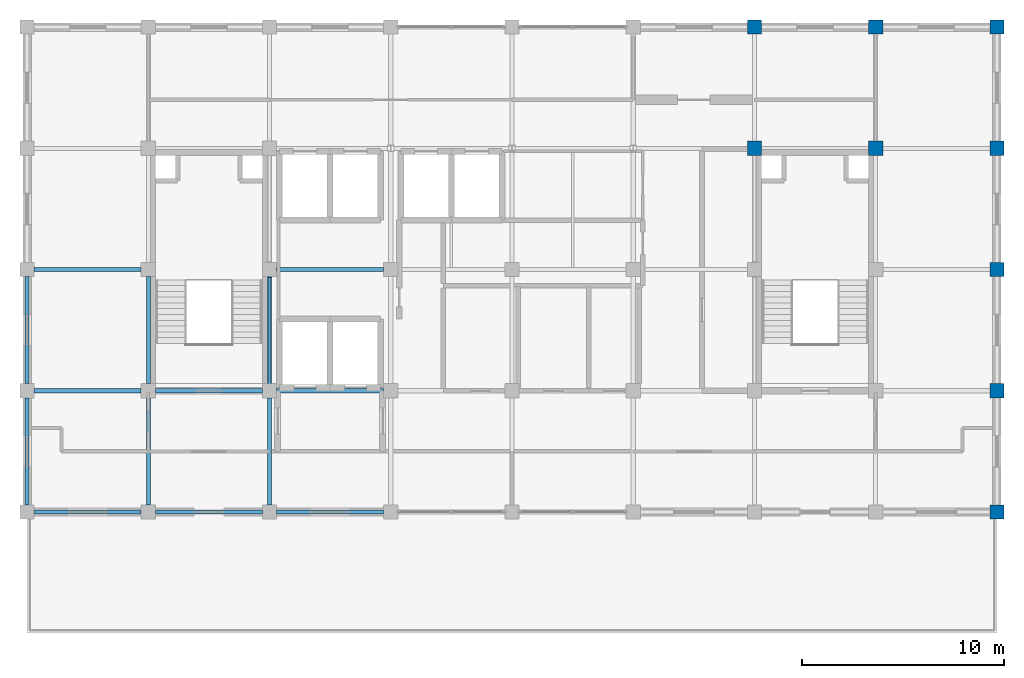
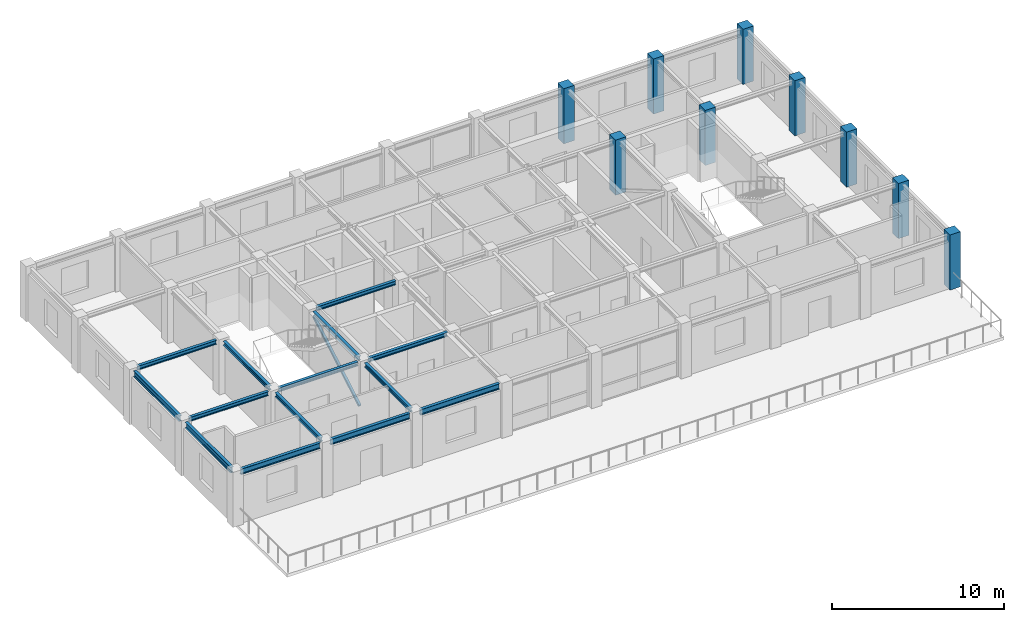
# One storey, part 3 of 11: 14 beams, 9 columns, 1 member.
"""IFC4 building model written with IfcOpenShell, lengths in metres."""

from ifc_helpers import new_model, si_unit, direction, frame, origin, origin_2d, place, context, subcontext, project, spatial, rectangle, hollow_rectangle, i_section, extrude, material, material_profile, profile_set, type_object, element, save


model = new_model("IFC4")

# Units and contexts
model_context = context("Model", 3, precision=1e-05, world=origin(), true_north=direction((0.0, 1.0)))
body_context = subcontext(model_context, "Body", "Model", "MODEL_VIEW")
ifc_project = project(units=[si_unit("LENGTHUNIT", "METRE"), si_unit("AREAUNIT", "SQUARE_METRE"), si_unit("VOLUMEUNIT", "CUBIC_METRE"), si_unit("PLANEANGLEUNIT", "RADIAN"), si_unit("MASSUNIT", "GRAM", prefix="KILO")], contexts=[model_context])

# Site, building, storey
site_placement = place(None, origin())
site = spatial("IfcSite", under=ifc_project, at=site_placement, CompositionType="ELEMENT")
building_placement = place(site_placement, origin())
building = spatial("IfcBuilding", under=site, at=building_placement, Name="Zlatovratsky Civic Hall", CompositionType="ELEMENT")
storey_placement = place(building_placement, frame((0.0, 0.0, 52.199951171875)))
storey = spatial("IfcBuildingStorey", under=building, at=storey_placement, Name="L13", CompositionType="ELEMENT", Elevation=52.199951171875)

# Columns
ifc_material_1 = material(Name="Concrete C35/45 (B40)", Category="concrete")
ifc_material_profile_1 = material_profile(ifc_material_1, rectangle(XDim=0.699951171875, YDim=0.699951171875, at=origin_2d()), Name="RC 700x700")
ifc_profile_set_1 = profile_set([ifc_material_profile_1], Name="Concrete C35/45 (B40)")
column_type = type_object("IfcColumnType", Name="Col_CorePier_RC700", PredefinedType="COLUMN", material=ifc_profile_set_1)
for number, where, z_axis, x_axis, name in (
    (1, (108.0, 78.0, 0.0), (0.0, 0.0, 1.0), (1.0, 0.0, 0.0), "CL-2473"),
    (2, (108.0, 84.0, 0.0), (0.0, 0.0, 1.0), (1.0, 0.0, 0.0), "CL-2482"),
    (3, (108.0, 90.0, 0.0), (0.0, 0.0, 1.0), (1.0, 0.0, 0.0), "CL-2491"),
    (4, (96.0, 96.0, 0.0), (0.0, 0.0, 1.0), (1.0, 0.0, 0.0), "CL-2498"),
    (5, (102.0, 96.0, 0.0), (0.0, 0.0, 1.0), (1.0, 0.0, 0.0), "CL-2499"),
    (6, (108.0, 96.0, 0.0), (0.0, 0.0, 1.0), (1.0, 0.0, 0.0), "CL-2500"),
    (7, (96.0, 102.0, 0.0), (0.0, 0.0, 1.0), (1.0, 0.0, 0.0), "CL-2507"),
    (8, (102.0, 102.0, 0.0), (0.0, 0.0, 1.0), (1.0, 0.0, 0.0), "CL-2508"),
    (9, (108.0, 102.0, 0.0), (0.0, 0.0, 1.0), (1.0, 0.0, 0.0), "CL-2509"),
):
    element("IfcColumn", number, at=place(storey_placement, frame(where, z_axis=z_axis, x_axis=x_axis)), inside=storey, type_object=column_type, Name=name, PredefinedType="COLUMN", context=body_context, shape_type="SweptSolid", body=[
        extrude(rectangle(XDim=0.699951171875, YDim=0.699951171875, at=origin_2d()), origin(), (0.0, 0.0, 1.0), 3.900146484375),
    ])

# Beams
ifc_material_2 = material(Name="Steel S355", Category="steel")
ifc_material_profile_2 = material_profile(ifc_material_2, i_section(OverallWidth=0.199951171875, OverallDepth=0.39990234375, WebThickness=0.008056640625, FlangeThickness=0.012939453125, FilletRadius=0.014892578125, at=origin_2d()), Name="40B2")
ifc_profile_set_2 = profile_set([ifc_material_profile_2], Name="Steel S355")
beam_type_1 = type_object("IfcBeamType", Name="Beam_Spandrel_40B2", PredefinedType="SPANDREL", material=ifc_profile_set_2)
for number, where, z_axis, x_axis, name in (
    (10, (60.35009765625, 78.0, 3.5400390625), (1.0, 0.0, 0.0), (0.0, 1.0, 0.0), "BM-4889"),
    (11, (66.35009765625, 78.0, 3.5400390625), (1.0, 0.0, 0.0), (0.0, 1.0, 0.0), "BM-4890"),
    (12, (72.35009765625, 78.0, 3.5400390625), (1.0, 0.0, 0.0), (0.0, 1.0, 0.0), "BM-4891"),
    (13, (60.0, 78.35009765625, 3.5400390625), (0.0, 1.0, 0.0), (-1.0, 0.0, 0.0), "BM-4927"),
    (14, (60.0, 84.35009765625, 3.5400390625), (0.0, 1.0, 0.0), (-1.0, 0.0, 0.0), "BM-4928"),
):
    element("IfcBeam", number, at=place(storey_placement, frame(where, z_axis=z_axis, x_axis=x_axis)), inside=storey, type_object=beam_type_1, Name=name, PredefinedType="SPANDREL", context=body_context, shape_type="SweptSolid", body=[
        extrude(i_section(OverallWidth=0.199951171875, OverallDepth=0.39990234375, WebThickness=0.008056640625, FlangeThickness=0.012939453125, FilletRadius=0.014892578125, at=origin_2d()), origin(), (0.0, 0.0, 1.0), 5.2998046875),
    ])
ifc_material_profile_3 = material_profile(ifc_material_2, i_section(OverallWidth=0.199951171875, OverallDepth=0.291015625, WebThickness=0.008056640625, FlangeThickness=0.010986328125, FilletRadius=0.01806640625, at=origin_2d()), Name="30Sh1")
ifc_profile_set_3 = profile_set([ifc_material_profile_3], Name="Steel S355")
beam_type_2 = type_object("IfcBeamType", Name="Beam_TowerHigh_30Sh1", PredefinedType="BEAM", material=ifc_profile_set_3)
for number, where, z_axis, x_axis, name in (
    (15, (60.35009765625, 84.0, 3.594482421875), (1.0, 0.0, 0.0), (0.0, 1.0, 0.0), "BM-4897"),
    (16, (66.35009765625, 84.0, 3.594482421875), (1.0, 0.0, 0.0), (0.0, 1.0, 0.0), "BM-4898"),
    (17, (72.35009765625, 84.0, 3.594482421875), (1.0, 0.0, 0.0), (0.0, 1.0, 0.0), "BM-4899"),
    (18, (60.35009765625, 90.0, 3.594482421875), (1.0, 0.0, 0.0), (0.0, 1.0, 0.0), "BM-4905"),
    (19, (72.35009765625, 90.0, 3.594482421875), (1.0, 0.0, 0.0), (0.0, 1.0, 0.0), "BM-4906"),
    (20, (66.0, 78.35009765625, 3.594482421875), (0.0, 1.0, 0.0), (-1.0, 0.0, 0.0), "BM-4931"),
    (21, (66.0, 84.35009765625, 3.594482421875), (0.0, 1.0, 0.0), (-1.0, 0.0, 0.0), "BM-4932"),
    (22, (72.0, 78.35009765625, 3.594482421875), (0.0, 1.0, 0.0), (-1.0, 0.0, 0.0), "BM-4935"),
    (23, (72.0, 84.35009765625, 3.594482421875), (0.0, 1.0, 0.0), (-1.0, 0.0, 0.0), "BM-4936"),
):
    element("IfcBeam", number, at=place(storey_placement, frame(where, z_axis=z_axis, x_axis=x_axis)), inside=storey, type_object=beam_type_2, Name=name, PredefinedType="BEAM", context=body_context, shape_type="SweptSolid", body=[
        extrude(i_section(OverallWidth=0.199951171875, OverallDepth=0.291015625, WebThickness=0.008056640625, FlangeThickness=0.010986328125, FilletRadius=0.01806640625, at=origin_2d()), origin(), (0.0, 0.0, 1.0), 5.2998046875),
    ])

# Member
ifc_material_profile_4 = material_profile(ifc_material_2, hollow_rectangle(XDim=0.159912109375, YDim=0.159912109375, WallThickness=0.008056640625, at=origin_2d()), Name="SHS 160x160x8")
ifc_profile_set_4 = profile_set([ifc_material_profile_4], Name="Steel S355")
member_type = type_object("IfcMemberType", Name="Brace_TowerHigh_SHS160", PredefinedType="BRACE", material=ifc_profile_set_4)
member_placement = place(storey_placement, frame((72.0, 84.35009765625, 0.25), z_axis=(0.0, 0.863172562464, 0.504909028845), x_axis=(-1.0, 0.0, 0.0)))
element("IfcMember", 24, at=member_placement, inside=storey, type_object=member_type, Name="MB-0156", PredefinedType="BRACE", context=body_context, shape_type="SweptSolid", body=[
    extrude(hollow_rectangle(XDim=0.159912109375, YDim=0.159912109375, WallThickness=0.008056640625, at=origin_2d()), origin(), (0.0, 0.0, 1.0), 6.139892578125),
])

save(model, "model.ifc")
